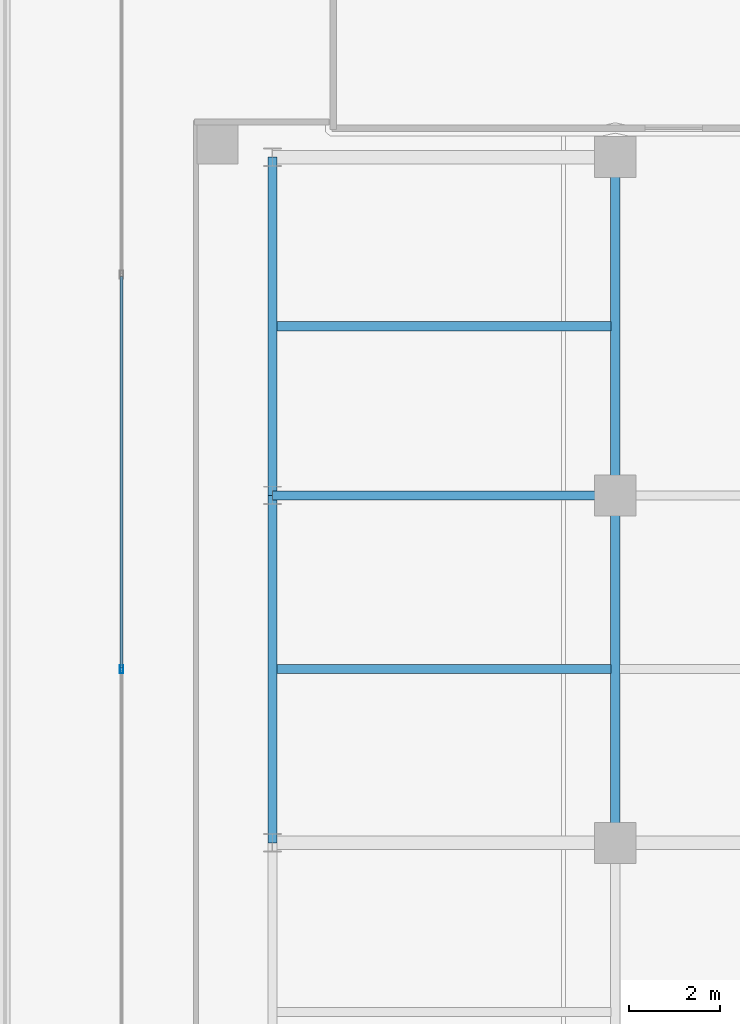
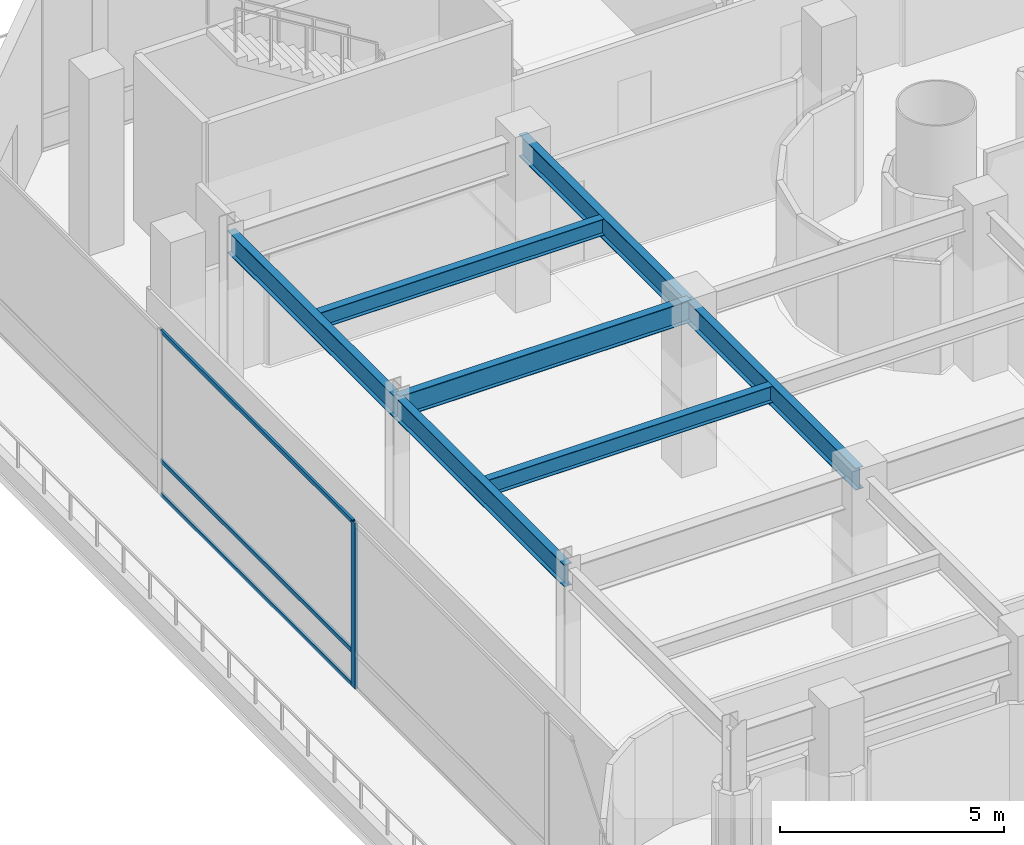
# One storey, part 9 of 39: 7 beams, 4 members, 1 element without a shape of its own.
"""IFC4 building model written with IfcOpenShell, lengths in metres."""

from ifc_helpers import new_model, si_unit, direction, frame, origin, origin_2d, place, context, subcontext, project, spatial, hollow_rectangle, i_section, extrude, material, layer, layer_set, material_profile, profile_set, type_object, element, aggregate, save


model = new_model("IFC4")

# Units and contexts
model_context = context("Model", 3, precision=1e-05, world=origin(), true_north=direction((0.0, 1.0)))
body_context = subcontext(model_context, "Body", "Model", "MODEL_VIEW")
ifc_project = project(units=[si_unit("LENGTHUNIT", "METRE"), si_unit("AREAUNIT", "SQUARE_METRE"), si_unit("VOLUMEUNIT", "CUBIC_METRE"), si_unit("PLANEANGLEUNIT", "RADIAN"), si_unit("MASSUNIT", "GRAM", prefix="KILO")], contexts=[model_context])

# Site, building, storey
site_placement = place(None, origin())
site = spatial("IfcSite", under=ifc_project, at=site_placement, CompositionType="ELEMENT")
building_placement = place(site_placement, origin())
building = spatial("IfcBuilding", under=site, at=building_placement, Name="Qianvela Tower", CompositionType="ELEMENT")
storey_placement = place(building_placement, frame((0.0, 0.0, 15.800048828125)))
storey = spatial("IfcBuildingStorey", under=building, at=storey_placement, Name="L03", CompositionType="ELEMENT", Elevation=15.800048828125)

# Beams
ifc_material_1 = material(Name="Steel Q355B", Category="steel")
ifc_material_profile_1 = material_profile(ifc_material_1, i_section(OverallWidth=0.199951171875, OverallDepth=0.449951171875, WebThickness=0.009033203125, FlangeThickness=0.013916015625, at=origin_2d()), Name="HN450x200x9x14")
ifc_profile_set_1 = profile_set([ifc_material_profile_1], Name="Steel Q355B")
beam_type_1 = type_object("IfcBeamType", Name="BM-HN450-JOIST", PredefinedType="JOIST", material=ifc_profile_set_1)
for number, where, z_axis, x_axis, name in (
    (1, (7.595947265625, 26.0, 4.27294921875), (1.0, 0.0, 0.0), (0.0, 1.0, 0.0), "L03 Secondary Floor Joist 43"),
    (2, (7.595947265625, 33.5, 4.27294921875), (1.0, 0.0, 0.0), (0.0, 1.0, 0.0), "L03 Secondary Floor Joist 44"),
):
    element("IfcBeam", number, at=place(storey_placement, frame(where, z_axis=z_axis, x_axis=x_axis)), inside=storey, type_object=beam_type_1, Name=name, PredefinedType="JOIST", context=body_context, shape_type="SweptSolid", body=[
        extrude(i_section(OverallWidth=0.199951171875, OverallDepth=0.449951171875, WebThickness=0.009033203125, FlangeThickness=0.013916015625, at=origin_2d()), origin(), (0.0, 0.0, 1.0), 7.30810546875),
    ])
ifc_material_2 = material(Name="Steel Q355B", Category="steel")
ifc_material_profile_2 = material_profile(ifc_material_2, i_section(OverallWidth=0.199951171875, OverallDepth=0.60009765625, WebThickness=0.010986328125, FlangeThickness=0.01708984375, at=origin_2d()), Name="HN600x200x11x17")
ifc_profile_set_2 = profile_set([ifc_material_profile_2], Name="Steel Q355B")
beam_type_2 = type_object("IfcBeamType", Name="BM-HN600-GIRD", PredefinedType="BEAM", material=ifc_profile_set_2)
beam_1_placement = place(storey_placement, frame((7.5, 29.800048828125, 4.197998046875), z_axis=(1.0, 0.0, 0.0), x_axis=(0.0, 1.0, 0.0)))
element("IfcBeam", 3, at=beam_1_placement, inside=storey, type_object=beam_type_2, Name="L03 East-West Grid Girder 9", PredefinedType="BEAM", context=body_context, shape_type="SweptSolid", body=[
    extrude(i_section(OverallWidth=0.199951171875, OverallDepth=0.60009765625, WebThickness=0.010986328125, FlangeThickness=0.01708984375, at=origin_2d()), origin(), (0.0, 0.0, 1.0), 7.5),
])
beam_2_placement = place(storey_placement, frame((7.5, 22.199951171875, 4.197998046875), z_axis=(0.0, 1.0, 0.0), x_axis=(-1.0, 0.0, 0.0)))
element("IfcBeam", 4, at=beam_2_placement, inside=storey, type_object=beam_type_2, Name="L03 North-South Grid Girder 17", PredefinedType="BEAM", context=body_context, shape_type="SweptSolid", body=[
    extrude(i_section(OverallWidth=0.199951171875, OverallDepth=0.60009765625, WebThickness=0.010986328125, FlangeThickness=0.01708984375, at=origin_2d()), origin(), (0.0, 0.0, 1.0), 7.60009765625),
])
beam_3_placement = place(storey_placement, frame((7.5, 29.800048828125, 4.197998046875), z_axis=(0.0, 1.0, 0.0), x_axis=(-1.0, 0.0, 0.0)))
element("IfcBeam", 5, at=beam_3_placement, inside=storey, type_object=beam_type_2, Name="L03 North-South Grid Girder 18", PredefinedType="BEAM", context=body_context, shape_type="SweptSolid", body=[
    extrude(i_section(OverallWidth=0.199951171875, OverallDepth=0.60009765625, WebThickness=0.010986328125, FlangeThickness=0.01708984375, at=origin_2d()), origin(), (0.0, 0.0, 1.0), 7.39990234375),
])
beam_4_placement = place(storey_placement, frame((15.0, 22.199951171875, 4.197998046875), z_axis=(0.0, 1.0, 0.0), x_axis=(-1.0, 0.0, 0.0)))
element("IfcBeam", 6, at=beam_4_placement, inside=storey, type_object=beam_type_2, Name="L03 North-South Grid Girder 21", PredefinedType="BEAM", context=body_context, shape_type="SweptSolid", body=[
    extrude(i_section(OverallWidth=0.199951171875, OverallDepth=0.60009765625, WebThickness=0.010986328125, FlangeThickness=0.01708984375, at=origin_2d()), origin(), (0.0, 0.0, 1.0), 7.60009765625),
])
beam_5_placement = place(storey_placement, frame((15.0, 29.800048828125, 4.197998046875), z_axis=(0.0, 1.0, 0.0), x_axis=(-1.0, 0.0, 0.0)))
element("IfcBeam", 7, at=beam_5_placement, inside=storey, type_object=beam_type_2, Name="L03 North-South Grid Girder 22", PredefinedType="BEAM", context=body_context, shape_type="SweptSolid", body=[
    extrude(i_section(OverallWidth=0.199951171875, OverallDepth=0.60009765625, WebThickness=0.010986328125, FlangeThickness=0.01708984375, at=origin_2d()), origin(), (0.0, 0.0, 1.0), 7.39990234375),
])

# Curtain wall, members
ifc_material_3 = material(Name="Anodised Architectural Aluminium and Low-E Glass", Category="aluminium")
ifc_layer = layer(ifc_material_3, 0.179931640625)
ifc_layer_set = layer_set([ifc_layer], Name="Anodised Architectural Aluminium and Low-E Glass")
curtain_wall_type = type_object("IfcCurtainWallType", Name="CW-COMMONS", PredefinedType="USERDEFINED", material=ifc_layer_set)
curtain_wall_placement = place(storey_placement, origin())
curtain_wall = element("IfcCurtainWall", 8, at=curtain_wall_placement, inside=storey, type_object=curtain_wall_type, Name="L03 CW-COMMONS Curtain Wall 07", ObjectType="CURTAIN_WALL_SYSTEM", PredefinedType="USERDEFINED")
ifc_material_4 = material(Name="Anodised Architectural Aluminium 6063-T6", Category="aluminium")
ifc_material_profile_3 = material_profile(ifc_material_4, hollow_rectangle(XDim=0.070068359375, YDim=0.179931640625, WallThickness=0.0048828125, at=origin_2d()), Name="ALU-MULL-70x180")
ifc_profile_set_3 = profile_set([ifc_material_profile_3], Name="Anodised Architectural Aluminium 6063-T6")
member_type_1 = type_object("IfcMemberType", Name="CW-COMMONS-MULL", PredefinedType="MULLION", material=ifc_profile_set_3)
member_1_placement = place(storey_placement, frame((4.199951171875, 26.0, 0.0), z_axis=(0.0, 0.0, 1.0), x_axis=(1.0, 0.0, 0.0)))
member_1 = element("IfcMember", 9, at=member_1_placement, type_object=member_type_1, Name="CW-2 mullion 3", PredefinedType="MULLION", context=body_context, shape_type="SweptSolid", body=[
    extrude(hollow_rectangle(XDim=0.070068359375, YDim=0.179931640625, WallThickness=0.0048828125, at=origin_2d()), origin(), (0.0, 0.0, 1.0), 4.5),
])
ifc_material_5 = material(Name="Anodised Architectural Aluminium 6063-T6", Category="aluminium")
ifc_material_profile_4 = material_profile(ifc_material_5, hollow_rectangle(XDim=0.06005859375, YDim=0.114990234375, WallThickness=0.00390625, at=origin_2d()), Name="ALU-TRAN-60x115")
ifc_profile_set_4 = profile_set([ifc_material_profile_4], Name="Anodised Architectural Aluminium 6063-T6")
member_type_2 = type_object("IfcMemberType", Name="CW-COMMONS-TRAN", PredefinedType="USERDEFINED", material=ifc_profile_set_4)
member_2_placement = place(storey_placement, frame((4.199951171875, 34.590087890625, 0.030029296875), z_axis=(0.0, -1.0, 0.0), x_axis=(1.0, 0.0, 0.0)))
member_2 = element("IfcMember", 10, at=member_2_placement, type_object=member_type_2, Name="CW-2 transom 2.1", ObjectType="TRANSOM", PredefinedType="USERDEFINED", context=body_context, shape_type="SweptSolid", body=[
    extrude(hollow_rectangle(XDim=0.06005859375, YDim=0.114990234375, WallThickness=0.00390625, at=origin_2d()), origin(), (0.0, 0.0, 1.0), 8.55517578125),
])
member_3_placement = place(storey_placement, frame((4.199951171875, 34.590087890625, 0.949951171875), z_axis=(0.0, -1.0, 0.0), x_axis=(1.0, 0.0, 0.0)))
member_3 = element("IfcMember", 11, at=member_3_placement, type_object=member_type_2, Name="CW-2 transom 2.2", ObjectType="TRANSOM", PredefinedType="USERDEFINED", context=body_context, shape_type="SweptSolid", body=[
    extrude(hollow_rectangle(XDim=0.06005859375, YDim=0.114990234375, WallThickness=0.00390625, at=origin_2d()), origin(), (0.0, 0.0, 1.0), 8.55517578125),
])
member_4_placement = place(storey_placement, frame((4.199951171875, 34.590087890625, 4.469970703125), z_axis=(0.0, -1.0, 0.0), x_axis=(1.0, 0.0, 0.0)))
member_4 = element("IfcMember", 12, at=member_4_placement, type_object=member_type_2, Name="CW-2 transom 2.3", ObjectType="TRANSOM", PredefinedType="USERDEFINED", context=body_context, shape_type="SweptSolid", body=[
    extrude(hollow_rectangle(XDim=0.06005859375, YDim=0.114990234375, WallThickness=0.00390625, at=origin_2d()), origin(), (0.0, 0.0, 1.0), 8.55517578125),
])
aggregate(curtain_wall, [member_1, member_2, member_3, member_4])

save(model, "model.ifc")
